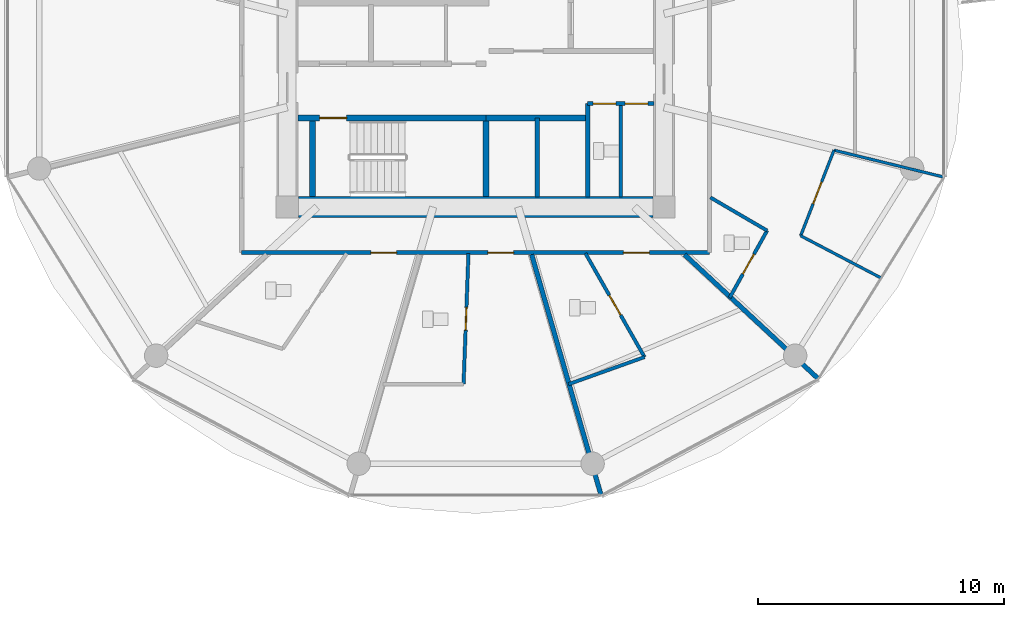
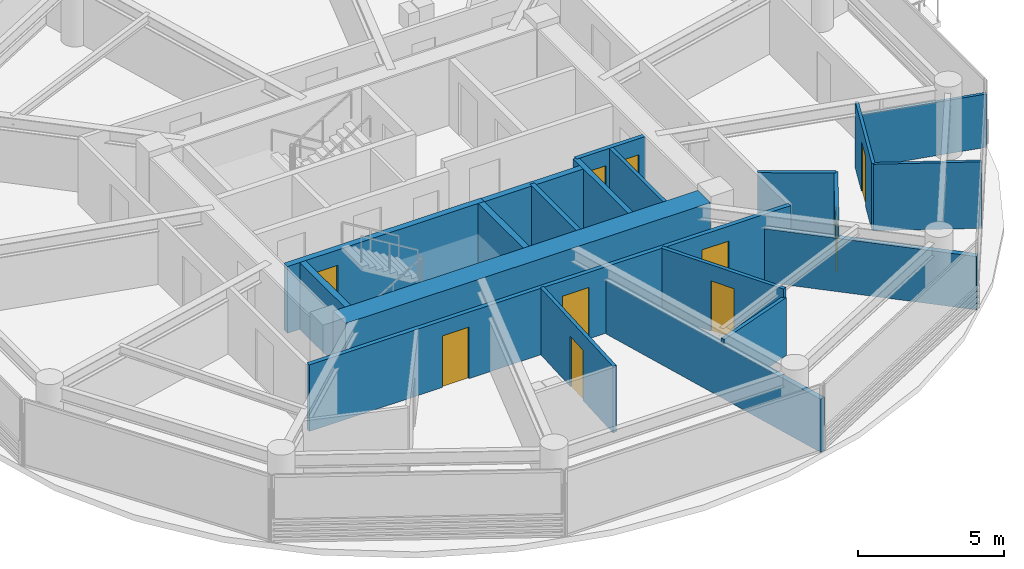
# One storey, part 18 of 27: 20 walls, 10 doors, 10 openings.
"""IFC4 building model written with IfcOpenShell, lengths in metres."""

from ifc_helpers import new_model, si_unit, direction, frame, frame_2d, origin, place, context, subcontext, project, spatial, rectangle, extrude, source, transform, mapped, material, layer, layer_set, type_object, type_shapes, element, fill, save


model = new_model("IFC4")

# Units and contexts
model_context = context("Model", 3, precision=1e-05, world=origin(), true_north=direction((0.0, 1.0)))
body_context = subcontext(model_context, "Body", "Model", "MODEL_VIEW")
ifc_project = project(units=[si_unit("LENGTHUNIT", "METRE"), si_unit("AREAUNIT", "SQUARE_METRE"), si_unit("VOLUMEUNIT", "CUBIC_METRE"), si_unit("PLANEANGLEUNIT", "RADIAN"), si_unit("MASSUNIT", "GRAM", prefix="KILO")], contexts=[model_context])

# Site, building, storey
site_placement = place(None, origin())
site = spatial("IfcSite", under=ifc_project, at=site_placement, CompositionType="ELEMENT")
building_placement = place(site_placement, origin())
building = spatial("IfcBuilding", under=site, at=building_placement, Name="Norrkilde Senior Care Towers", CompositionType="ELEMENT")
storey_placement = place(building_placement, frame((0.0, 0.0, 52.10009765625)))
storey = spatial("IfcBuildingStorey", under=building, at=storey_placement, Name="L15", CompositionType="ELEMENT", Elevation=52.10009765625)

# Wall
ifc_material_1 = material(Name="Concrete C60/75", Category="concrete")
ifc_layer_1 = layer(ifc_material_1, 0.85009765625)
ifc_layer_set_1 = layer_set([ifc_layer_1], Name="Concrete C60/75")
wall_type_1 = type_object("IfcWallType", Name="Core Shear Wall Z1 850", PredefinedType="SHEAR", material=ifc_layer_set_1)
shared_shape_1 = source(origin(), body_context, "Body", "SweptSolid", [
    extrude(rectangle(XDim=14.39990234375, YDim=0.85009765625, at=frame_2d((7.199951171875, 0.0))), origin(), (0.0, 0.0, 1.0), 2.789794921875),
])
type_shapes(wall_type_1, [shared_shape_1])
wall_1_placement = place(storey_placement, frame((35.199951171875, -5.949951171875, 0.0), z_axis=(0.0, 0.0, 1.0), x_axis=(-1.0, 0.0, 0.0)))
element("IfcWall", 1, at=wall_1_placement, inside=storey, type_object=wall_type_1, Name="L15 Core E South Shear Wall", PredefinedType="SHEAR", context=body_context, shape_type="MappedRepresentation", body=[
    mapped(shared_shape_1, transform((0.0, 0.0, 0.0), x_axis=(1.0, 0.0, 0.0), y_axis=(0.0, 1.0, 0.0), z_axis=(0.0, 0.0, 1.0), scale=1.0)),
])

# Wall, opening, door
ifc_material_2 = material(Name="Concrete C45/55", Category="concrete")
ifc_layer_2 = layer(ifc_material_2, 0.239990234375)
ifc_layer_set_2 = layer_set([ifc_layer_2], Name="Concrete C45/55")
wall_type_2 = type_object("IfcWallType", Name="Shaft and Stair Enclosure Wall 240", PredefinedType="PARTITIONING", material=ifc_layer_set_2)
shared_shape_2 = source(origin(), body_context, "Body", "SweptSolid", [
    extrude(rectangle(XDim=7.76513671875, YDim=0.239990234375, at=frame_2d((3.882568359375, 0.0))), origin(), (0.0, 0.0, 1.0), 2.789794921875),
])
wall_2_placement = place(storey_placement, frame((20.77490234375, -2.330078125, 0.0), z_axis=(0.0, 0.0, 1.0), x_axis=(1.0, 0.0, 0.0)))
wall_2 = element("IfcWall", 2, at=wall_2_placement, inside=storey, type_object=wall_type_2, Name="WL-INT-L15-E-ST2N", PredefinedType="PARTITIONING", context=body_context, shape_type="MappedRepresentation", body=[
    mapped(shared_shape_2, transform((0.0, 0.0, 0.0), x_axis=(1.0, 0.0, 0.0), y_axis=(0.0, 1.0, 0.0), z_axis=(0.0, 0.0, 1.0), scale=1.0)),
])
opening_1_placement = place(wall_2_placement, frame((0.885009765625, 0.0, 0.0)))
opening_1 = element("IfcOpeningElement", 3, at=opening_1_placement, cuts=wall_2, Name="Opening D-03", PredefinedType="OPENING", context=body_context, shape_type="SweptSolid", body=[
    extrude(rectangle(XDim=1.10009765625, YDim=2.14990234375, at=frame_2d((0.550048828125, 1.074951171875))), frame((0.0, 0.1298828125, 0.0), z_axis=(0.0, -1.0, 0.0), x_axis=(1.0, 0.0, 0.0)), (0.0, 0.0, 1.0), 0.260009765625),
])
ifc_material_3 = material(Name="Galvanised Painted Steel", Category="steel")
door_type_1 = type_object("IfcDoorType", Name="Stairwell Protected Fire Door 1100x2150", OperationType="NOTDEFINED", PredefinedType="DOOR", material=ifc_material_3)
shared_shape_3 = source(origin(), body_context, "Body", "SweptSolid", [
    extrude(rectangle(XDim=1.10009765625, YDim=2.14990234375, at=frame_2d((0.550048828125, 1.074951171875))), frame((0.0, 0.02490234375, 0.0), z_axis=(0.0, -1.0, 0.0), x_axis=(1.0, 0.0, 0.0)), (0.0, 0.0, 1.0), 0.050048828125),
])
type_shapes(door_type_1, [shared_shape_3])
door_1_placement = place(opening_1_placement, frame((1.10009765625, 0.0, 0.0), z_axis=(0.0, 0.0, 1.0), x_axis=(-1.0, 0.0, 0.0)))
door_1 = element("IfcDoor", 4, at=door_1_placement, inside=storey, type_object=door_type_1, Name="L15 Stair E2 Fire Door", OperationType="SINGLE_SWING_RIGHT", OverallHeight=2.14990234375, OverallWidth=1.10009765625, PredefinedType="DOOR", context=body_context, shape_type="MappedRepresentation", body=[
    mapped(shared_shape_3, transform((0.0, 0.0, 0.0), x_axis=(1.0, 0.0, 0.0), y_axis=(0.0, 1.0, 0.0), z_axis=(0.0, 0.0, 1.0), scale=1.0)),
])
fill(opening_1, door_1)

# Walls
shared_shape_4 = source(origin(), body_context, "Body", "SweptSolid", [
    extrude(rectangle(XDim=3.074951171875, YDim=0.239990234375, at=frame_2d((1.53759765625, 0.0))), origin(), (0.0, 0.0, 1.0), 2.789794921875),
])
type_shapes(wall_type_2, [shared_shape_2, shared_shape_4])
for number, where, z_axis, x_axis, name in (
    (5, (21.3798828125, -5.52490234375, 0.0), (0.0, 0.0, 1.0), (0.0, 1.0, 0.0), "WL-INT-L15-E-ST2W"),
    (6, (28.419921875, -5.52490234375, 0.0), (0.0, 0.0, 1.0), (0.0, 1.0, 0.0), "WL-INT-L15-E-ST2E"),
):
    element("IfcWall", number, at=place(storey_placement, frame(where, z_axis=z_axis, x_axis=x_axis)), inside=storey, type_object=wall_type_2, Name=name, PredefinedType="PARTITIONING", context=body_context, shape_type="MappedRepresentation", body=[
        mapped(shared_shape_4, transform((0.0, 0.0, 0.0), x_axis=(1.0, 0.0, 0.0), y_axis=(0.0, 1.0, 0.0), z_axis=(0.0, 0.0, 1.0), scale=1.0)),
    ])
ifc_layer_3 = layer(ifc_material_2, 0.199951171875)
ifc_layer_set_3 = layer_set([ifc_layer_3], Name="Concrete C45/55")
wall_type_3 = type_object("IfcWallType", Name="Shaft Division and Plant Partition 200", PredefinedType="PARTITIONING", material=ifc_layer_set_3)
shared_shape_5 = source(origin(), body_context, "Body", "SweptSolid", [
    extrude(rectangle(XDim=3.800048828125, YDim=0.199951171875, at=frame_2d((1.89990234375, 0.0))), origin(), (0.0, 0.0, 1.0), 2.77490234375),
])
type_shapes(wall_type_3, [shared_shape_5])
wall_3_placement = place(storey_placement, frame((32.550048828125, -5.550048828125, 0.0), z_axis=(0.0, 0.0, 1.0), x_axis=(0.0, 1.0, 0.0)))
element("IfcWall", 7, at=wall_3_placement, inside=storey, type_object=wall_type_3, Name="WL-INT-L15-E-PKBE", PredefinedType="PARTITIONING", context=body_context, shape_type="MappedRepresentation", body=[
    mapped(shared_shape_5, transform((0.0, 0.0, 0.0), x_axis=(1.0, 0.0, 0.0), y_axis=(0.0, 1.0, 0.0), z_axis=(0.0, 0.0, 1.0), scale=1.0)),
])
ifc_layer_4 = layer(ifc_material_2, 0.239990234375)
ifc_layer_set_4 = layer_set([ifc_layer_4], Name="Concrete C45/55")
wall_type_4 = type_object("IfcWallType", Name="Lift and Plant Rated Enclosure Partition 240", PredefinedType="PARTITIONING", material=ifc_layer_set_4)
shared_shape_6 = source(origin(), body_context, "Body", "SweptSolid", [
    extrude(rectangle(XDim=4.130126953125, YDim=0.239990234375, at=frame_2d((2.06494140625, 0.0))), origin(), (0.0, 0.0, 1.0), 2.77490234375),
])
type_shapes(wall_type_4, [shared_shape_6])
wall_4_placement = place(storey_placement, frame((28.419921875, -2.330078125, 0.0), z_axis=(0.0, 0.0, 1.0), x_axis=(1.0, 0.0, 0.0)))
element("IfcWall", 8, at=wall_4_placement, inside=storey, type_object=wall_type_4, Name="WL-INT-L15-E-PKBN", PredefinedType="PARTITIONING", context=body_context, shape_type="MappedRepresentation", body=[
    mapped(shared_shape_6, transform((0.0, 0.0, 0.0), x_axis=(1.0, 0.0, 0.0), y_axis=(0.0, 1.0, 0.0), z_axis=(0.0, 0.0, 1.0), scale=1.0)),
])
ifc_layer_5 = layer(ifc_material_2, 0.179931640625)
ifc_layer_set_5 = layer_set([ifc_layer_5], Name="Concrete C45/55")
wall_type_5 = type_object("IfcWallType", Name="Hoistway Division Rated Partition 180", PredefinedType="PARTITIONING", material=ifc_layer_set_5)
shared_shape_7 = source(origin(), body_context, "Body", "SweptSolid", [
    extrude(rectangle(XDim=3.219970703125, YDim=0.179931640625, at=frame_2d((1.60986328125, 0.0))), origin(), (0.0, 0.0, 1.0), 2.77490234375),
])
type_shapes(wall_type_5, [shared_shape_7])
wall_5_placement = place(storey_placement, frame((30.5, -5.550048828125, 0.0), z_axis=(0.0, 0.0, 1.0), x_axis=(0.0, 1.0, 0.0)))
element("IfcWall", 9, at=wall_5_placement, inside=storey, type_object=wall_type_5, Name="WL-INT-L15-E-PL34", PredefinedType="PARTITIONING", context=body_context, shape_type="MappedRepresentation", body=[
    mapped(shared_shape_7, transform((0.0, 0.0, 0.0), x_axis=(1.0, 0.0, 0.0), y_axis=(0.0, 1.0, 0.0), z_axis=(0.0, 0.0, 1.0), scale=1.0)),
])

# Wall, openings, doors
ifc_material_4 = material(Name="Gypsum Acoustic Board")
ifc_layer_6 = layer(ifc_material_4, 0.1650390625)
ifc_layer_set_6 = layer_set([ifc_layer_6], Name="Gypsum Acoustic Board")
wall_type_6 = type_object("IfcWallType", Name="Corridor Rated Partition 165", PredefinedType="PARTITIONING", material=ifc_layer_set_6)
shared_shape_8 = source(origin(), body_context, "Body", "SweptSolid", [
    extrude(rectangle(XDim=2.699951171875, YDim=0.1650390625, at=frame_2d((1.35009765625, 0.0))), origin(), (0.0, 0.0, 1.0), 2.77490234375),
])
wall_6_placement = place(storey_placement, frame((32.550048828125, -1.75, 0.0), z_axis=(0.0, 0.0, 1.0), x_axis=(1.0, 0.0, 0.0)))
wall_6 = element("IfcWall", 10, at=wall_6_placement, inside=storey, type_object=wall_type_6, Name="WL-INT-L15-E-CSN", PredefinedType="PARTITIONING", context=body_context, shape_type="MappedRepresentation", body=[
    mapped(shared_shape_8, transform((0.0, 0.0, 0.0), x_axis=(1.0, 0.0, 0.0), y_axis=(0.0, 1.0, 0.0), z_axis=(0.0, 0.0, 1.0), scale=1.0)),
])
opening_2_placement = place(wall_6_placement, frame((0.222412109375, 0.0, 0.0)))
opening_2 = element("IfcOpeningElement", 11, at=opening_2_placement, cuts=wall_6, Name="Opening D-12", PredefinedType="OPENING", context=body_context, shape_type="SweptSolid", body=[
    extrude(rectangle(XDim=0.925048828125, YDim=2.10009765625, at=frame_2d((0.46240234375, 1.050048828125))), frame((0.0, 0.092529296875, 0.0), z_axis=(0.0, -1.0, 0.0), x_axis=(1.0, 0.0, 0.0)), (0.0, 0.0, 1.0), 0.18505859375),
])
opening_3_placement = place(wall_6_placement, frame((1.5224609375, 0.0, 0.0)))
opening_3 = element("IfcOpeningElement", 12, at=opening_3_placement, cuts=wall_6, Name="Opening D-12", PredefinedType="OPENING", context=body_context, shape_type="SweptSolid", body=[
    extrude(rectangle(XDim=0.925048828125, YDim=2.10009765625, at=frame_2d((0.46240234375, 1.050048828125))), frame((0.0, 0.092529296875, 0.0), z_axis=(0.0, -1.0, 0.0), x_axis=(1.0, 0.0, 0.0)), (0.0, 0.0, 1.0), 0.18505859375),
])
door_type_2 = type_object("IfcDoorType", Name="Core Wet Room Rated Door 925x2100", OperationType="NOTDEFINED", PredefinedType="DOOR", material=ifc_material_3)
shared_shape_9 = source(origin(), body_context, "Body", "SweptSolid", [
    extrude(rectangle(XDim=0.925048828125, YDim=2.10009765625, at=frame_2d((0.46240234375, 1.050048828125))), frame((0.0, 0.02490234375, 0.0), z_axis=(0.0, -1.0, 0.0), x_axis=(1.0, 0.0, 0.0)), (0.0, 0.0, 1.0), 0.050048828125),
])
type_shapes(door_type_2, [shared_shape_9])
door_2_placement = place(opening_2_placement, origin())
door_2 = element("IfcDoor", 13, at=door_2_placement, inside=storey, type_object=door_type_2, Name="L15 Staff Accessible WC E Door", OperationType="SINGLE_SWING_LEFT", OverallHeight=2.10009765625, OverallWidth=0.925048828125, PredefinedType="DOOR", context=body_context, shape_type="MappedRepresentation", body=[
    mapped(shared_shape_9, transform((0.0, 0.0, 0.0), x_axis=(1.0, 0.0, 0.0), y_axis=(0.0, 1.0, 0.0), z_axis=(0.0, 0.0, 1.0), scale=1.0)),
])
fill(opening_2, door_2)
door_3_placement = place(opening_3_placement, origin())
door_3 = element("IfcDoor", 14, at=door_3_placement, inside=storey, type_object=door_type_2, Name="L15 Housekeeping Store E Door", OperationType="SINGLE_SWING_RIGHT", OverallHeight=2.10009765625, OverallWidth=0.925048828125, PredefinedType="DOOR", context=body_context, shape_type="MappedRepresentation", body=[
    mapped(shared_shape_9, transform((0.0, 0.0, 0.0), x_axis=(1.0, 0.0, 0.0), y_axis=(0.0, 1.0, 0.0), z_axis=(0.0, 0.0, 1.0), scale=1.0)),
])
fill(opening_3, door_3)

shared_shape_10 = source(origin(), body_context, "Body", "SweptSolid", [
    extrude(rectangle(XDim=19.0, YDim=0.1650390625, at=frame_2d((9.5, 0.0))), origin(), (0.0, 0.0, 1.0), 2.77490234375),
])
type_shapes(wall_type_6, [shared_shape_8, shared_shape_10])
wall_7_placement = place(storey_placement, frame((37.5, -7.800048828125, 0.0), z_axis=(0.0, 0.0, 1.0), x_axis=(-1.0, 0.0, 0.0)))
wall_7 = element("IfcWall", 15, at=wall_7_placement, inside=storey, type_object=wall_type_6, Name="WL-INT-L15-E-CRW-S-0", PredefinedType="PARTITIONING", context=body_context, shape_type="MappedRepresentation", body=[
    mapped(shared_shape_10, transform((0.0, 0.0, 0.0), x_axis=(1.0, 0.0, 0.0), y_axis=(0.0, 1.0, 0.0), z_axis=(0.0, 0.0, 1.0), scale=1.0)),
])
opening_4_placement = place(wall_7_placement, frame((12.705810546875, 0.0, 0.0)))
opening_4 = element("IfcOpeningElement", 16, at=opening_4_placement, cuts=wall_7, Name="Opening D-06", PredefinedType="OPENING", context=body_context, shape_type="SweptSolid", body=[
    extrude(rectangle(XDim=1.050048828125, YDim=2.14990234375, at=frame_2d((0.52490234375, 1.074951171875))), frame((0.0, 0.092529296875, 0.0), z_axis=(0.0, -1.0, 0.0), x_axis=(1.0, 0.0, 0.0)), (0.0, 0.0, 1.0), 0.18505859375),
])
opening_5_placement = place(wall_7_placement, frame((7.958740234375, 0.0, 0.0)))
opening_5 = element("IfcOpeningElement", 17, at=opening_5_placement, cuts=wall_7, Name="Opening D-06", PredefinedType="OPENING", context=body_context, shape_type="SweptSolid", body=[
    extrude(rectangle(XDim=1.050048828125, YDim=2.14990234375, at=frame_2d((0.52490234375, 1.074951171875))), frame((0.0, 0.092529296875, 0.0), z_axis=(0.0, -1.0, 0.0), x_axis=(1.0, 0.0, 0.0)), (0.0, 0.0, 1.0), 0.18505859375),
])
opening_6_placement = place(wall_7_placement, frame((2.45068359375, 0.0, 0.0)))
opening_6 = element("IfcOpeningElement", 18, at=opening_6_placement, cuts=wall_7, Name="Opening D-06", PredefinedType="OPENING", context=body_context, shape_type="SweptSolid", body=[
    extrude(rectangle(XDim=1.050048828125, YDim=2.14990234375, at=frame_2d((0.52490234375, 1.074951171875))), frame((0.0, 0.092529296875, 0.0), z_axis=(0.0, -1.0, 0.0), x_axis=(1.0, 0.0, 0.0)), (0.0, 0.0, 1.0), 0.18505859375),
])
ifc_material_5 = material(Name="Nordic Ash Timber", Category="wood")
door_type_3 = type_object("IfcDoorType", Name="Apartment Entrance Fire Door 1050x2150", OperationType="NOTDEFINED", PredefinedType="DOOR", material=ifc_material_5)
shared_shape_11 = source(origin(), body_context, "Body", "SweptSolid", [
    extrude(rectangle(XDim=1.050048828125, YDim=2.14990234375, at=frame_2d((0.52490234375, 1.074951171875))), frame((0.0, 0.02490234375, 0.0), z_axis=(0.0, -1.0, 0.0), x_axis=(1.0, 0.0, 0.0)), (0.0, 0.0, 1.0), 0.050048828125),
])
type_shapes(door_type_3, [shared_shape_11])
door_4_placement = place(opening_4_placement, frame((1.050048828125, 0.0, 0.0), z_axis=(0.0, 0.0, 1.0), x_axis=(-1.0, 0.0, 0.0)))
door_4 = element("IfcDoor", 19, at=door_4_placement, inside=storey, type_object=door_type_3, Name="L15 Studio 15D Entrance Door", OperationType="SINGLE_SWING_RIGHT", OverallHeight=2.14990234375, OverallWidth=1.050048828125, PredefinedType="DOOR", context=body_context, shape_type="MappedRepresentation", body=[
    mapped(shared_shape_11, transform((0.0, 0.0, 0.0), x_axis=(1.0, 0.0, 0.0), y_axis=(0.0, 1.0, 0.0), z_axis=(0.0, 0.0, 1.0), scale=1.0)),
])
fill(opening_4, door_4)
door_5_placement = place(opening_5_placement, frame((1.050048828125, 0.0, 0.0), z_axis=(0.0, 0.0, 1.0), x_axis=(-1.0, 0.0, 0.0)))
door_5 = element("IfcDoor", 20, at=door_5_placement, inside=storey, type_object=door_type_3, Name="L15 Studio 15E Entrance Door", OperationType="SINGLE_SWING_LEFT", OverallHeight=2.14990234375, OverallWidth=1.050048828125, PredefinedType="DOOR", context=body_context, shape_type="MappedRepresentation", body=[
    mapped(shared_shape_11, transform((0.0, 0.0, 0.0), x_axis=(1.0, 0.0, 0.0), y_axis=(0.0, 1.0, 0.0), z_axis=(0.0, 0.0, 1.0), scale=1.0)),
])
fill(opening_5, door_5)
door_6_placement = place(opening_6_placement, frame((1.050048828125, 0.0, 0.0), z_axis=(0.0, 0.0, 1.0), x_axis=(-1.0, 0.0, 0.0)))
door_6 = element("IfcDoor", 21, at=door_6_placement, inside=storey, type_object=door_type_3, Name="L15 Studio 15F Entrance Door", OperationType="SINGLE_SWING_RIGHT", OverallHeight=2.14990234375, OverallWidth=1.050048828125, PredefinedType="DOOR", context=body_context, shape_type="MappedRepresentation", body=[
    mapped(shared_shape_11, transform((0.0, 0.0, 0.0), x_axis=(1.0, 0.0, 0.0), y_axis=(0.0, 1.0, 0.0), z_axis=(0.0, 0.0, 1.0), scale=1.0)),
])
fill(opening_6, door_6)

# Walls
ifc_layer_7 = layer(ifc_material_4, 0.18994140625)
ifc_layer_set_7 = layer_set([ifc_layer_7], Name="Gypsum Acoustic Board")
wall_type_7 = type_object("IfcWallType", Name="Unit Demising Acoustic Wall 190", PredefinedType="PARTITIONING", material=ifc_layer_set_7)
shared_shape_12 = source(origin(), body_context, "Body", "SweptSolid", [
    extrude(rectangle(XDim=7.4345703125, YDim=0.18994140625, at=frame_2d((3.71728515625, 0.0))), origin(), (0.0, 0.0, 1.0), 2.224853515625),
])
wall_8_placement = place(storey_placement, frame((36.48291015625, -7.8798828125, 0.0), z_axis=(0.0, 0.0, 1.0), x_axis=(0.732651956848, -0.680603489652, 0.0)))
element("IfcWall", 22, at=wall_8_placement, inside=storey, type_object=wall_type_7, Name="WL-INT-L15-E-DEM-10-0", PredefinedType="PARTITIONING", context=body_context, shape_type="MappedRepresentation", body=[
    mapped(shared_shape_12, transform((0.0, 0.0, 0.0), x_axis=(1.0, 0.0, 0.0), y_axis=(0.0, 1.0, 0.0), z_axis=(0.0, 0.0, 1.0), scale=1.0)),
])
shared_shape_13 = source(origin(), body_context, "Body", "SweptSolid", [
    extrude(rectangle(XDim=10.196044921875, YDim=0.18994140625, at=frame_2d((5.09814453125, 0.0))), origin(), (0.0, 0.0, 1.0), 2.224853515625),
])
type_shapes(wall_type_7, [shared_shape_12, shared_shape_13])
wall_9_placement = place(storey_placement, frame((30.27294921875, -7.8798828125, 0.0), z_axis=(0.0, 0.0, 1.0), x_axis=(0.277136420347, -0.960830580549, 0.0)))
element("IfcWall", 23, at=wall_9_placement, inside=storey, type_object=wall_type_7, Name="WL-INT-L15-E-DEM-09-0", PredefinedType="PARTITIONING", context=body_context, shape_type="MappedRepresentation", body=[
    mapped(shared_shape_13, transform((0.0, 0.0, 0.0), x_axis=(1.0, 0.0, 0.0), y_axis=(0.0, 1.0, 0.0), z_axis=(0.0, 0.0, 1.0), scale=1.0)),
])
ifc_layer_8 = layer(ifc_material_4, 0.139892578125)
ifc_layer_set_8 = layer_set([ifc_layer_8], Name="Gypsum Acoustic Board")
wall_type_8 = type_object("IfcWallType", Name="En-suite Wet Room Wall 140", PredefinedType="PARTITIONING", material=ifc_layer_set_8)
shared_shape_14 = source(origin(), body_context, "Body", "SweptSolid", [
    extrude(rectangle(XDim=3.800048828125, YDim=0.139892578125, at=frame_2d((1.89990234375, 0.0))), origin(), (0.0, 0.0, 1.0), 2.77490234375),
])
wall_10_placement = place(storey_placement, frame((33.89990234375, -5.550048828125, 0.0), z_axis=(0.0, 0.0, 1.0), x_axis=(0.0, 1.0, 0.0)))
element("IfcWall", 24, at=wall_10_placement, inside=storey, type_object=wall_type_8, Name="WL-INT-L15-E-CS1V", PredefinedType="PARTITIONING", context=body_context, shape_type="MappedRepresentation", body=[
    mapped(shared_shape_14, transform((0.0, 0.0, 0.0), x_axis=(1.0, 0.0, 0.0), y_axis=(0.0, 1.0, 0.0), z_axis=(0.0, 0.0, 1.0), scale=1.0)),
])
shared_shape_15 = source(origin(), body_context, "Body", "SweptSolid", [
    extrude(rectangle(XDim=2.66943359375, YDim=0.139892578125, at=frame_2d((1.334716796875, 0.0))), origin(), (0.0, 0.0, 1.0), 2.77490234375),
])
wall_11_placement = place(storey_placement, frame((37.530029296875, -5.560546875, 0.0), z_axis=(0.0, 0.0, 1.0), x_axis=(0.86369928178, -0.50400749067, 0.0)))
element("IfcWall", 25, at=wall_11_placement, inside=storey, type_object=wall_type_8, Name="WL-INT-L15-E-UBTS-10", PredefinedType="PARTITIONING", context=body_context, shape_type="MappedRepresentation", body=[
    mapped(shared_shape_15, transform((0.0, 0.0, 0.0), x_axis=(1.0, 0.0, 0.0), y_axis=(0.0, 1.0, 0.0), z_axis=(0.0, 0.0, 1.0), scale=1.0)),
])

# Wall, opening, door
shared_shape_16 = source(origin(), body_context, "Body", "SweptSolid", [
    extrude(rectangle(XDim=3.121337890625, YDim=0.139892578125, at=frame_2d((1.560546875, 0.0))), origin(), (0.0, 0.0, 1.0), 2.77490234375),
])
wall_12_placement = place(storey_placement, frame((39.835693359375, -6.906005859375, 0.0), z_axis=(0.0, 0.0, 1.0), x_axis=(-0.487302357327, -0.873233309342, 0.0)))
wall_12 = element("IfcWall", 26, at=wall_12_placement, inside=storey, type_object=wall_type_8, Name="WL-INT-L15-E-UBTF-10", PredefinedType="PARTITIONING", context=body_context, shape_type="MappedRepresentation", body=[
    mapped(shared_shape_16, transform((0.0, 0.0, 0.0), x_axis=(1.0, 0.0, 0.0), y_axis=(0.0, 1.0, 0.0), z_axis=(0.0, 0.0, 1.0), scale=1.0)),
])
opening_7_placement = place(wall_12_placement, frame((1.1005859375, 0.0, 0.0)))
opening_7 = element("IfcOpeningElement", 27, at=opening_7_placement, cuts=wall_12, Name="Opening D-08", PredefinedType="OPENING", context=body_context, shape_type="SweptSolid", body=[
    extrude(rectangle(XDim=0.919921875, YDim=2.10009765625, at=frame_2d((0.4599609375, 1.050048828125))), frame((0.0, 0.079833984375, 0.0), z_axis=(0.0, -1.0, 0.0), x_axis=(1.0, 0.0, 0.0)), (0.0, 0.0, 1.0), 0.159912109375),
])
door_type_4 = type_object("IfcDoorType", Name="Accessible Wet Room Door 920x2100", OperationType="NOTDEFINED", PredefinedType="DOOR", material=ifc_material_5)
shared_shape_17 = source(origin(), body_context, "Body", "SweptSolid", [
    extrude(rectangle(XDim=0.919921875, YDim=2.10009765625, at=frame_2d((0.4599609375, 1.050048828125))), frame((0.0, 0.02490234375, 0.0), z_axis=(0.0, -1.0, 0.0), x_axis=(1.0, 0.0, 0.0)), (0.0, 0.0, 1.0), 0.050048828125),
])
type_shapes(door_type_4, [shared_shape_17])
door_7_placement = place(opening_7_placement, origin())
door_7 = element("IfcDoor", 28, at=door_7_placement, inside=storey, type_object=door_type_4, Name="Apartment 15G Bathroom Door", OperationType="SINGLE_SWING_RIGHT", OverallHeight=2.10009765625, OverallWidth=0.919921875, PredefinedType="DOOR", context=body_context, shape_type="MappedRepresentation", body=[
    mapped(shared_shape_17, transform((0.0, 0.0, 0.0), x_axis=(1.0, 0.0, 0.0), y_axis=(0.0, 1.0, 0.0), z_axis=(0.0, 0.0, 1.0), scale=1.0)),
])
fill(opening_7, door_7)

# Wall
ifc_layer_9 = layer(ifc_material_4, 0.114990234375)
ifc_layer_set_9 = layer_set([ifc_layer_9], Name="Gypsum Acoustic Board")
wall_type_9 = type_object("IfcWallType", Name="Internal Room Partition 115", PredefinedType="PARTITIONING", material=ifc_layer_set_9)
shared_shape_18 = source(origin(), body_context, "Body", "SweptSolid", [
    extrude(rectangle(XDim=3.706298828125, YDim=0.114990234375, at=frame_2d((1.85302734375, 0.0))), origin(), (0.0, 0.0, 1.0), 2.77490234375),
])
wall_13_placement = place(storey_placement, frame((41.197998046875, -7.115234375, 0.0), z_axis=(0.0, 0.0, 1.0), x_axis=(0.88538502503, -0.464858427322, 0.0)))
element("IfcWall", 29, at=wall_13_placement, inside=storey, type_object=wall_type_9, Name="WL-INT-L15-E-UKTS-10", PredefinedType="PARTITIONING", context=body_context, shape_type="MappedRepresentation", body=[
    mapped(shared_shape_18, transform((0.0, 0.0, 0.0), x_axis=(1.0, 0.0, 0.0), y_axis=(0.0, 1.0, 0.0), z_axis=(0.0, 0.0, 1.0), scale=1.0)),
])

# Wall, opening, door
shared_shape_19 = source(origin(), body_context, "Body", "SweptSolid", [
    extrude(rectangle(XDim=5.31640625, YDim=0.139892578125, at=frame_2d((2.658203125, 0.0))), origin(), (0.0, 0.0, 1.0), 2.77490234375),
])
wall_14_placement = place(storey_placement, frame((27.707275390625, -7.830078125, 0.0), z_axis=(0.0, 0.0, 1.0), x_axis=(-0.037380226447, -0.999301115115, 0.0)))
wall_14 = element("IfcWall", 30, at=wall_14_placement, inside=storey, type_object=wall_type_8, Name="WL-INT-L15-E-ES-08", PredefinedType="PARTITIONING", context=body_context, shape_type="MappedRepresentation", body=[
    mapped(shared_shape_19, transform((0.0, 0.0, 0.0), x_axis=(1.0, 0.0, 0.0), y_axis=(0.0, 1.0, 0.0), z_axis=(0.0, 0.0, 1.0), scale=1.0)),
])
opening_8_placement = place(wall_14_placement, frame((2.1982421875, 0.0, 0.0)))
opening_8 = element("IfcOpeningElement", 31, at=opening_8_placement, cuts=wall_14, Name="Opening D-08", PredefinedType="OPENING", context=body_context, shape_type="SweptSolid", body=[
    extrude(rectangle(XDim=0.919921875, YDim=2.10009765625, at=frame_2d((0.4599609375, 1.050048828125))), frame((0.0, 0.079833984375, 0.0), z_axis=(0.0, -1.0, 0.0), x_axis=(1.0, 0.0, 0.0)), (0.0, 0.0, 1.0), 0.159912109375),
])
door_8_placement = place(opening_8_placement, origin())
door_8 = element("IfcDoor", 32, at=door_8_placement, inside=storey, type_object=door_type_4, Name="L15 Studio 15E Bathroom Door", OperationType="SINGLE_SWING_RIGHT", OverallHeight=2.10009765625, OverallWidth=0.919921875, PredefinedType="DOOR", context=body_context, shape_type="MappedRepresentation", body=[
    mapped(shared_shape_17, transform((0.0, 0.0, 0.0), x_axis=(1.0, 0.0, 0.0), y_axis=(0.0, 1.0, 0.0), z_axis=(0.0, 0.0, 1.0), scale=1.0)),
])
fill(opening_8, door_8)

shared_shape_20 = source(origin(), body_context, "Body", "SweptSolid", [
    extrude(rectangle(XDim=4.846435546875, YDim=0.139892578125, at=frame_2d((2.42333984375, 0.0))), origin(), (0.0, 0.0, 1.0), 2.77490234375),
])
wall_15_placement = place(storey_placement, frame((32.45849609375, -7.830078125, 0.0), z_axis=(0.0, 0.0, 1.0), x_axis=(0.494841788743, -0.868983086207, 0.0)))
wall_15 = element("IfcWall", 33, at=wall_15_placement, inside=storey, type_object=wall_type_8, Name="WL-INT-L15-E-ES-09", PredefinedType="PARTITIONING", context=body_context, shape_type="MappedRepresentation", body=[
    mapped(shared_shape_20, transform((0.0, 0.0, 0.0), x_axis=(1.0, 0.0, 0.0), y_axis=(0.0, 1.0, 0.0), z_axis=(0.0, 0.0, 1.0), scale=1.0)),
])
opening_9_placement = place(wall_15_placement, frame((1.963134765625, 0.0, 0.0)))
opening_9 = element("IfcOpeningElement", 34, at=opening_9_placement, cuts=wall_15, Name="Opening D-08", PredefinedType="OPENING", context=body_context, shape_type="SweptSolid", body=[
    extrude(rectangle(XDim=0.919921875, YDim=2.10009765625, at=frame_2d((0.4599609375, 1.050048828125))), frame((0.0, 0.079833984375, 0.0), z_axis=(0.0, -1.0, 0.0), x_axis=(1.0, 0.0, 0.0)), (0.0, 0.0, 1.0), 0.159912109375),
])
door_9_placement = place(opening_9_placement, origin())
door_9 = element("IfcDoor", 35, at=door_9_placement, inside=storey, type_object=door_type_4, Name="L15 Studio 15F Bathroom Door", OperationType="SINGLE_SWING_LEFT", OverallHeight=2.10009765625, OverallWidth=0.919921875, PredefinedType="DOOR", context=body_context, shape_type="MappedRepresentation", body=[
    mapped(shared_shape_17, transform((0.0, 0.0, 0.0), x_axis=(1.0, 0.0, 0.0), y_axis=(0.0, 1.0, 0.0), z_axis=(0.0, 0.0, 1.0), scale=1.0)),
])
fill(opening_9, door_9)

# Wall
shared_shape_21 = source(origin(), body_context, "Body", "SweptSolid", [
    extrude(rectangle(XDim=4.607666015625, YDim=0.114990234375, at=frame_2d((2.3037109375, 0.0))), origin(), (0.0, 0.0, 1.0), 2.224853515625),
])
wall_16_placement = place(storey_placement, frame((42.55322265625, -3.641357421875, 0.0), z_axis=(0.0, 0.0, 1.0), x_axis=(0.97135200068, -0.237645304552, 0.0)))
element("IfcWall", 36, at=wall_16_placement, inside=storey, type_object=wall_type_9, Name="WL-INT-L15-E-UBR-10-1", PredefinedType="PARTITIONING", context=body_context, shape_type="MappedRepresentation", body=[
    mapped(shared_shape_21, transform((0.0, 0.0, 0.0), x_axis=(1.0, 0.0, 0.0), y_axis=(0.0, 1.0, 0.0), z_axis=(0.0, 0.0, 1.0), scale=1.0)),
])

# Wall, opening, door
shared_shape_22 = source(origin(), body_context, "Body", "SweptSolid", [
    extrude(rectangle(XDim=3.728759765625, YDim=0.114990234375, at=frame_2d((1.8642578125, 0.0))), origin(), (0.0, 0.0, 1.0), 2.77490234375),
])
type_shapes(wall_type_9, [shared_shape_18, shared_shape_21, shared_shape_22])
wall_17_placement = place(storey_placement, frame((41.197998046875, -7.115234375, 0.0), z_axis=(0.0, 0.0, 1.0), x_axis=(0.363055991464, 0.93176732453, 0.0)))
wall_17 = element("IfcWall", 37, at=wall_17_placement, inside=storey, type_object=wall_type_9, Name="WL-INT-L15-E-UKTF-10", PredefinedType="PARTITIONING", context=body_context, shape_type="MappedRepresentation", body=[
    mapped(shared_shape_22, transform((0.0, 0.0, 0.0), x_axis=(1.0, 0.0, 0.0), y_axis=(0.0, 1.0, 0.0), z_axis=(0.0, 0.0, 1.0), scale=1.0)),
])
opening_10_placement = place(wall_17_placement, frame((1.389404296875, 0.0, 0.0)))
opening_10 = element("IfcOpeningElement", 38, at=opening_10_placement, cuts=wall_17, Name="Opening D-07", PredefinedType="OPENING", context=body_context, shape_type="SweptSolid", body=[
    extrude(rectangle(XDim=0.949951171875, YDim=2.10009765625, at=frame_2d((0.47509765625, 1.050048828125))), frame((0.0, 0.0673828125, 0.0), z_axis=(0.0, -1.0, 0.0), x_axis=(1.0, 0.0, 0.0)), (0.0, 0.0, 1.0), 0.135009765625),
])
door_type_5 = type_object("IfcDoorType", Name="Internal Suite Bedroom Door 950x2100", OperationType="NOTDEFINED", PredefinedType="DOOR", material=ifc_material_5)
shared_shape_23 = source(origin(), body_context, "Body", "SweptSolid", [
    extrude(rectangle(XDim=0.949951171875, YDim=2.10009765625, at=frame_2d((0.47509765625, 1.050048828125))), frame((0.0, 0.02490234375, 0.0), z_axis=(0.0, -1.0, 0.0), x_axis=(1.0, 0.0, 0.0)), (0.0, 0.0, 1.0), 0.050048828125),
])
type_shapes(door_type_5, [shared_shape_23])
door_10_placement = place(opening_10_placement, frame((0.949951171875, 0.0, 0.0), z_axis=(0.0, 0.0, 1.0), x_axis=(-1.0, 0.0, 0.0)))
door_10 = element("IfcDoor", 39, at=door_10_placement, inside=storey, type_object=door_type_5, Name="Apartment 15G Kitchen Door", OperationType="SINGLE_SWING_LEFT", OverallHeight=2.10009765625, OverallWidth=0.949951171875, PredefinedType="DOOR", context=body_context, shape_type="MappedRepresentation", body=[
    mapped(shared_shape_23, transform((0.0, 0.0, 0.0), x_axis=(1.0, 0.0, 0.0), y_axis=(0.0, 1.0, 0.0), z_axis=(0.0, 0.0, 1.0), scale=1.0)),
])
fill(opening_10, door_10)

# Wall
shared_shape_24 = source(origin(), body_context, "Body", "SweptSolid", [
    extrude(rectangle(XDim=3.276123046875, YDim=0.139892578125, at=frame_2d((1.63818359375, 0.0))), origin(), (0.0, 0.0, 1.0), 2.414794921875),
])
type_shapes(wall_type_8, [shared_shape_14, shared_shape_15, shared_shape_16, shared_shape_19, shared_shape_20, shared_shape_24])
wall_18_placement = place(storey_placement, frame((34.856689453125, -12.04150390625, 0.0), z_axis=(0.0, 0.0, 1.0), x_axis=(-0.94174696961, -0.336322234221, 0.0)))
element("IfcWall", 40, at=wall_18_placement, inside=storey, type_object=wall_type_8, Name="WL-INT-L15-E-EF-09", PredefinedType="PARTITIONING", context=body_context, shape_type="MappedRepresentation", body=[
    mapped(shared_shape_24, transform((0.0, 0.0, 0.0), x_axis=(1.0, 0.0, 0.0), y_axis=(0.0, 1.0, 0.0), z_axis=(0.0, 0.0, 1.0), scale=1.0)),
])

save(model, "model.ifc")
